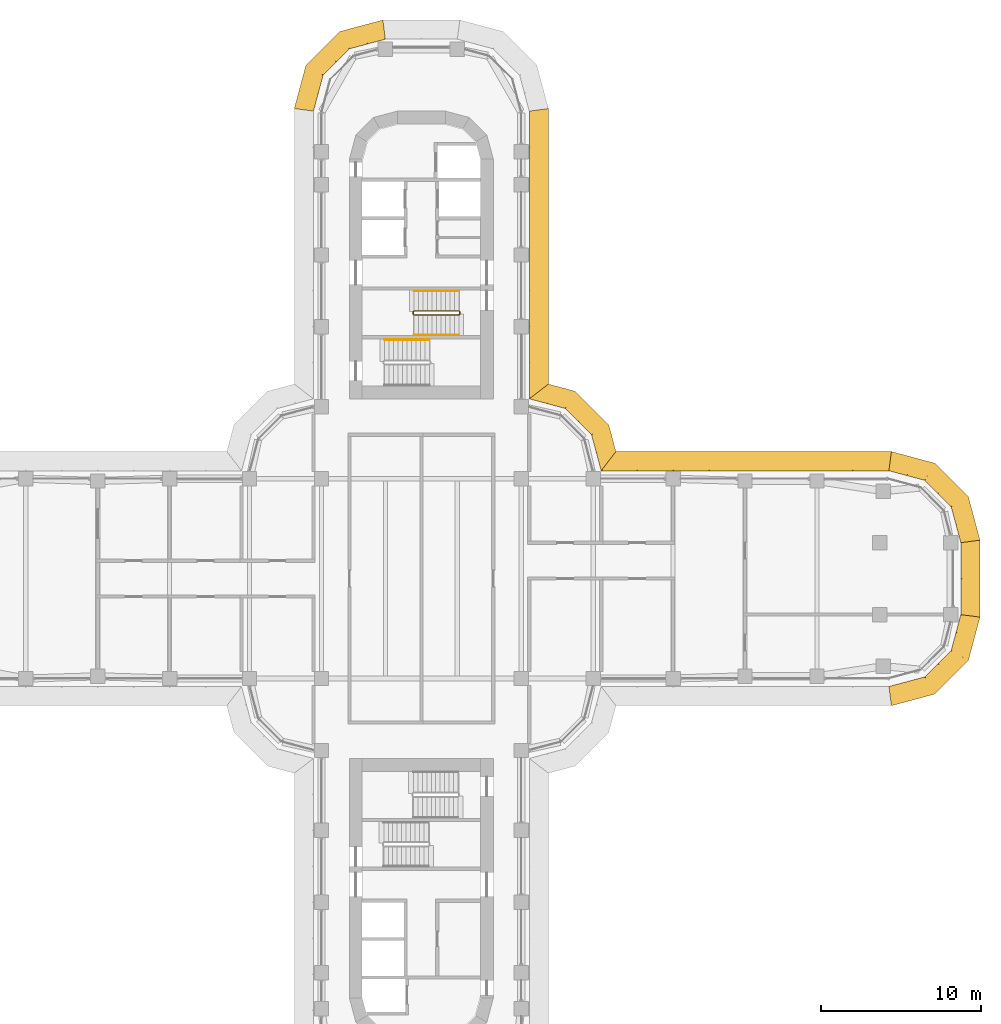
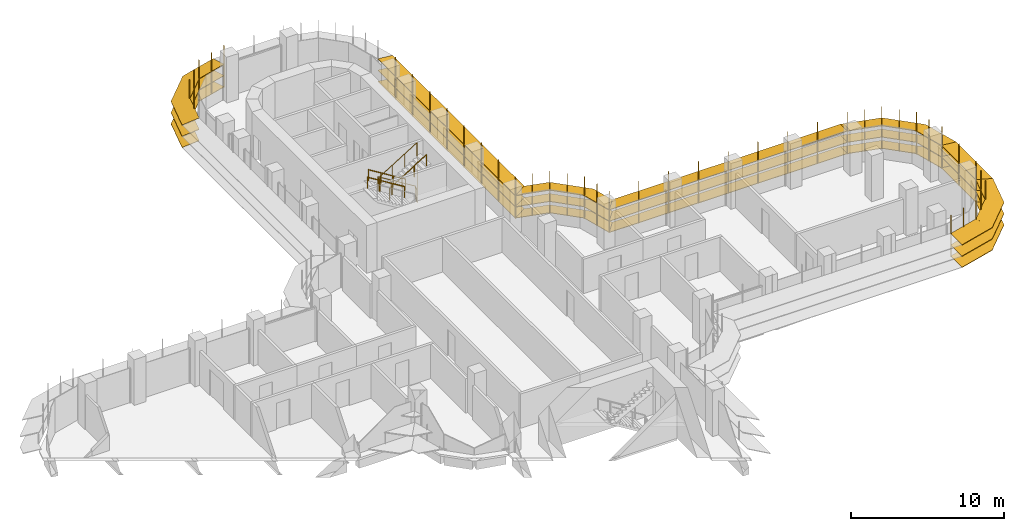
# One storey, part 22 of 23: 7 shading devices, 4 railings.
"""IFC4 building model written with IfcOpenShell, lengths in metres."""

from ifc_helpers import new_model, si_unit, direction, frame, origin, origin_2d, place, context, subcontext, project, spatial, polyline, circle, outline, extrude, faceted_brep, source, transform, mapped, material, type_object, element, save


model = new_model("IFC4")

# Units and contexts
model_context = context("Model", 3, precision=1e-05, world=origin(), true_north=direction((0.0, 1.0)))
body_context = subcontext(model_context, "Body", "Model", "MODEL_VIEW")
ifc_project = project(units=[si_unit("LENGTHUNIT", "METRE"), si_unit("AREAUNIT", "SQUARE_METRE"), si_unit("VOLUMEUNIT", "CUBIC_METRE"), si_unit("PLANEANGLEUNIT", "RADIAN"), si_unit("MASSUNIT", "GRAM", prefix="KILO")], contexts=[model_context])

# Site, building, storey
site_placement = place(None, origin())
site = spatial("IfcSite", under=ifc_project, at=site_placement, CompositionType="ELEMENT")
building_placement = place(site_placement, origin())
building = spatial("IfcBuilding", under=site, at=building_placement, Name="Zarbagh Exchange Tower", CompositionType="ELEMENT")
storey_placement = place(building_placement, frame((0.0, 0.0, 90.39990234375)))
storey = spatial("IfcBuildingStorey", under=building, at=storey_placement, Name="L20", CompositionType="ELEMENT", Elevation=90.39990234375)

# Railings
ifc_material_1 = material(Name="Stainless steel", Category="steel")
railing_type_1 = type_object("IfcRailingType", Name="Stair guard 1100 mm", PredefinedType="GUARDRAIL", material=ifc_material_1)
railing_1_placement = place(storey_placement, frame((-0.449951171875, 16.5, 2.07275390625)))
element("IfcRailing", 1, at=railing_1_placement, inside=storey, type_object=railing_type_1, Name="ST1 stair guard 1", PredefinedType="GUARDRAIL", context=body_context, shape_type="SweptSolid", body=[
    extrude(circle(Radius=0.02392578125, at=origin_2d()), frame((0.0, 0.0, 1.076171875), z_axis=(0.851089632645, 0.0, 0.525020415988), x_axis=(0.0, 1.0, 0.0)), (0.0, 0.0, 1.0), 3.2900390625),
    extrude(circle(Radius=0.02392578125, at=origin_2d()), frame((2.800048828125, 0.0, 2.80322265625), z_axis=(0.013104066473, 0.013168302093, -0.99982742474), x_axis=(-0.708833529934, 0.705375805398, 0.0)), (0.0, 0.0, 1.0), 3.80078125),
    extrude(circle(Radius=0.02392578125, at=origin_2d()), frame((2.849853515625, 0.050048828125, -0.99658203125), z_axis=(0.0, 1.0, 0.0), x_axis=(-1.0, 0.0, 0.0)), (0.0, 0.0, 1.0), 0.14990234375),
    extrude(circle(Radius=0.02392578125, at=origin_2d()), frame((2.849853515625, 0.199951171875, -0.99658203125), z_axis=(-0.266739603011, 0.268047150085, 0.925743328097), x_axis=(-0.708833529934, -0.705375805398, 0.0)), (0.0, 0.0, 1.0), 0.186767578125),
    extrude(circle(Radius=0.02392578125, at=origin_2d()), frame((2.800048828125, 0.25, -0.82373046875), z_axis=(-0.851089632645, 0.0, 0.525020415988), x_axis=(0.0, -1.0, 0.0)), (0.0, 0.0, 1.0), 3.2900390625),
    extrude(circle(Radius=0.02392578125, at=origin_2d()), frame((0.0, 0.25, 0.9033203125), z_axis=(-0.707106781187, -0.707106781187, 0.0), x_axis=(0.707106781187, -0.707106781187, 0.0)), (0.0, 0.0, 1.0), 0.07080078125),
    extrude(circle(Radius=0.02392578125, at=origin_2d()), frame((-0.050048828125, 0.199951171875, 0.9033203125), z_axis=(0.0, -1.0, 0.0), x_axis=(1.0, 0.0, 0.0)), (0.0, 0.0, 1.0), 0.14990234375),
    extrude(circle(Radius=0.02099609375, at=origin_2d()), origin(), (0.0, 0.0, 1.0), 1.052001953125),
    extrude(circle(Radius=0.02099609375, at=origin_2d()), frame((0.933349609375, 0.0, 0.57568359375)), (0.0, 0.0, 1.0), 1.052001953125),
    extrude(circle(Radius=0.02099609375, at=origin_2d()), frame((1.86669921875, 0.0, 1.151611328125)), (0.0, 0.0, 1.0), 1.052001953125),
    extrude(circle(Radius=0.02099609375, at=origin_2d()), frame((2.800048828125, 0.0, 1.727294921875)), (0.0, 0.0, 1.0), 1.052001953125),
    extrude(circle(Radius=0.02099609375, at=origin_2d()), frame((2.8125, 0.012451171875, 0.77734375)), (0.0, 0.0, 1.0), 1.052001953125),
    extrude(circle(Radius=0.02099609375, at=origin_2d()), frame((2.824951171875, 0.02490234375, -0.1728515625)), (0.0, 0.0, 1.0), 1.052001953125),
    extrude(circle(Radius=0.02099609375, at=origin_2d()), frame((2.83740234375, 0.03759765625, -1.122802734375)), (0.0, 0.0, 1.0), 1.052001953125),
    extrude(circle(Radius=0.02099609375, at=origin_2d()), frame((2.849853515625, 0.050048828125, -2.07275390625)), (0.0, 0.0, 1.0), 1.052001953125),
    extrude(circle(Radius=0.02099609375, at=origin_2d()), frame((2.849853515625, 0.199951171875, -2.07275390625)), (0.0, 0.0, 1.0), 1.052001953125),
    extrude(circle(Radius=0.02099609375, at=origin_2d()), frame((2.800048828125, 0.25, -1.89990234375)), (0.0, 0.0, 1.0), 1.052001953125),
    extrude(circle(Radius=0.02099609375, at=origin_2d()), frame((1.86669921875, 0.25, -1.32421875)), (0.0, 0.0, 1.0), 1.052001953125),
    extrude(circle(Radius=0.02099609375, at=origin_2d()), frame((0.933349609375, 0.25, -0.748291015625)), (0.0, 0.0, 1.0), 1.052001953125),
    extrude(circle(Radius=0.02099609375, at=origin_2d()), frame((0.0, 0.25, -0.172607421875)), (0.0, 0.0, 1.0), 1.052001953125),
    extrude(circle(Radius=0.02099609375, at=origin_2d()), frame((-0.050048828125, 0.199951171875, -0.172607421875)), (0.0, 0.0, 1.0), 1.052001953125),
    extrude(circle(Radius=0.02099609375, at=origin_2d()), frame((-0.050048828125, 0.050048828125, -0.172607421875)), (0.0, 0.0, 1.0), 1.052001953125),
])
railing_type_2 = type_object("IfcRailingType", Name="Stair handrail 900 mm", PredefinedType="HANDRAIL", material=ifc_material_1)
railing_2_placement = place(storey_placement, frame((2.35009765625, 18.0, 0.1728515625)))
element("IfcRailing", 2, at=railing_2_placement, inside=storey, type_object=railing_type_2, Name="ST1 stair handrail 1", PredefinedType="HANDRAIL", context=body_context, shape_type="SweptSolid", body=[
    extrude(circle(Radius=0.02392578125, at=origin_2d()), frame((0.0, 0.0, 0.8759765625), z_axis=(-0.851089632645, 0.0, 0.525020415988), x_axis=(0.0, -1.0, 0.0)), (0.0, 0.0, 1.0), 3.2900390625),
    extrude(circle(Radius=0.02099609375, at=origin_2d()), origin(), (0.0, 0.0, 1.0), 0.851806640625),
    extrude(circle(Radius=0.02099609375, at=origin_2d()), frame((-0.933349609375, 0.0, 0.57568359375)), (0.0, 0.0, 1.0), 0.851806640625),
    extrude(circle(Radius=0.02099609375, at=origin_2d()), frame((-1.86669921875, 0.0, 1.151611328125)), (0.0, 0.0, 1.0), 0.851806640625),
    extrude(circle(Radius=0.02099609375, at=origin_2d()), frame((-2.800048828125, 0.0, 1.727294921875)), (0.0, 0.0, 1.0), 0.851806640625),
])
railing_3_placement = place(storey_placement, frame((-0.449951171875, 15.25, 2.07275390625)))
element("IfcRailing", 3, at=railing_3_placement, inside=storey, type_object=railing_type_2, Name="ST1 stair handrail 2", PredefinedType="HANDRAIL", context=body_context, shape_type="SweptSolid", body=[
    extrude(circle(Radius=0.02392578125, at=origin_2d()), frame((0.0, 0.0, 0.8759765625), z_axis=(0.851089632645, 0.0, 0.525020415988), x_axis=(0.0, 1.0, 0.0)), (0.0, 0.0, 1.0), 3.2900390625),
    extrude(circle(Radius=0.02099609375, at=origin_2d()), origin(), (0.0, 0.0, 1.0), 0.851806640625),
    extrude(circle(Radius=0.02099609375, at=origin_2d()), frame((0.933349609375, 0.0, 0.57568359375)), (0.0, 0.0, 1.0), 0.851806640625),
    extrude(circle(Radius=0.02099609375, at=origin_2d()), frame((1.86669921875, 0.0, 1.151611328125)), (0.0, 0.0, 1.0), 0.851806640625),
    extrude(circle(Radius=0.02099609375, at=origin_2d()), frame((2.800048828125, 0.0, 1.727294921875)), (0.0, 0.0, 1.0), 0.851806640625),
])
railing_4_placement = place(storey_placement, frame((0.5, 14.949951171875, 2.07275390625)))
element("IfcRailing", 4, at=railing_4_placement, inside=storey, type_object=railing_type_2, Name="ST2 stair handrail 2", PredefinedType="HANDRAIL", context=body_context, shape_type="SweptSolid", body=[
    extrude(circle(Radius=0.02392578125, at=origin_2d()), frame((0.0, 0.0, 0.8759765625), z_axis=(-0.851089632645, 0.0, 0.525020415988), x_axis=(0.0, -1.0, 0.0)), (0.0, 0.0, 1.0), 3.2900390625),
    extrude(circle(Radius=0.02099609375, at=origin_2d()), origin(), (0.0, 0.0, 1.0), 0.851806640625),
    extrude(circle(Radius=0.02099609375, at=origin_2d()), frame((-0.933349609375, 0.0, 0.57568359375)), (0.0, 0.0, 1.0), 0.851806640625),
    extrude(circle(Radius=0.02099609375, at=origin_2d()), frame((-1.86669921875, 0.0, 1.151611328125)), (0.0, 0.0, 1.0), 0.851806640625),
    extrude(circle(Radius=0.02099609375, at=origin_2d()), frame((-2.800048828125, 0.0, 1.727294921875)), (0.0, 0.0, 1.0), 0.851806640625),
])

# Shading devices
ifc_material_2 = material(Name="Anodised aluminium blades and brackets", Category="aluminium")
shading_device_type = type_object("IfcShadingDeviceType", Name="SUNSHADE louvre band, 11.25 degree blades", PredefinedType="JALOUSIE", material=ifc_material_2)
shared_shape_1 = source(origin(), body_context, "Body", "Brep", [
    faceted_brep([(0.0, 0.0, 0.0), (0.0, 0.0, -0.040771484375), (-0.157958984375, -1.199951171875, -0.279541015625), (-0.157958984375, -1.199951171875, -0.23876953125), (2.65087890625, -1.199951171875, -0.23876953125), (2.65087890625, -1.199951171875, -0.279541015625), (2.329345703125, 0.0, -0.040771484375), (2.329345703125, 0.0, 0.0)], [[[0, 1, 2, 3]], [[4, 5, 6, 7]], [[0, 7, 6, 1]], [[1, 6, 5, 2]], [[2, 5, 4, 3]], [[3, 4, 7, 0]]]),
])
shared_shape_2 = source(origin(), body_context, "Body", "Brep", [
    faceted_brep([(0.0, 0.0, 0.0), (0.0, 0.0, -0.040771484375), (-0.321533203125, -1.199951171875, -0.279541015625), (-0.321533203125, -1.199951171875, -0.23876953125), (2.65087890625, -1.199951171875, -0.23876953125), (2.65087890625, -1.199951171875, -0.279541015625), (2.329345703125, 0.0, -0.040771484375), (2.329345703125, 0.0, 0.0)], [[[0, 1, 2, 3]], [[4, 5, 6, 7]], [[0, 7, 6, 1]], [[1, 6, 5, 2]], [[2, 5, 4, 3]], [[3, 4, 7, 0]]]),
])
shared_shape_3 = source(origin(), body_context, "Body", "Brep", [
    faceted_brep([(0.0, 0.0, 0.0), (0.0, 0.0, -0.040771484375), (-0.321533203125, -1.199951171875, -0.279541015625), (-0.321533203125, -1.199951171875, -0.23876953125), (2.4873046875, -1.199951171875, -0.23876953125), (2.4873046875, -1.199951171875, -0.279541015625), (2.329345703125, 0.0, -0.040771484375), (2.329345703125, 0.0, 0.0)], [[[0, 1, 2, 3]], [[4, 5, 6, 7]], [[0, 7, 6, 1]], [[1, 6, 5, 2]], [[2, 5, 4, 3]], [[3, 4, 7, 0]]]),
])
shared_shape_4 = source(origin(), body_context, "Body", "SweptSolid", [
    extrude(outline(polyline([(0.0, -0.012451171875), (0.06005859375, -0.012451171875), (0.06005859375, 0.012451171875), (0.0, 0.012451171875), (0.0, -0.012451171875)])), origin(), (0.0, 0.0, 1.0), 3.350830078125),
])
placement = place(storey_placement, origin())
element("IfcShadingDevice", 5, at=placement, inside=storey, type_object=shading_device_type, Name="SS05 sunshade band", PredefinedType="JALOUSIE", context=body_context, shape_type="MappedRepresentation", body=[
    mapped(shared_shape_1, transform((29.25, -6.75, 2.300048828125), x_axis=(0.965924289636, 0.258824779902, 0.0), y_axis=(-0.258824779902, 0.965924289636, 0.0), z_axis=(0.0, 0.0, 1.0))),
    mapped(shared_shape_1, transform((29.25, -6.75, 1.400146484375), x_axis=(0.965924289636, 0.258824779902, 0.0), y_axis=(-0.258824779902, 0.965924289636, 0.0), z_axis=(0.0, 0.0, 1.0))),
    mapped(shared_shape_1, transform((29.25, -6.75, 0.5), x_axis=(0.965924289636, 0.258824779902, 0.0), y_axis=(-0.258824779902, 0.965924289636, 0.0), z_axis=(0.0, 0.0, 1.0))),
    mapped(shared_shape_2, transform((31.5, -6.147216796875, 2.300048828125), x_axis=(0.707106781187, 0.707106781187, 0.0), y_axis=(-0.707106781187, 0.707106781187, 0.0), z_axis=(0.0, 0.0, 1.0))),
    mapped(shared_shape_2, transform((31.5, -6.147216796875, 1.400146484375), x_axis=(0.707106781187, 0.707106781187, 0.0), y_axis=(-0.707106781187, 0.707106781187, 0.0), z_axis=(0.0, 0.0, 1.0))),
    mapped(shared_shape_2, transform((31.5, -6.147216796875, 0.5), x_axis=(0.707106781187, 0.707106781187, 0.0), y_axis=(-0.707106781187, 0.707106781187, 0.0), z_axis=(0.0, 0.0, 1.0))),
    mapped(shared_shape_3, transform((33.147216796875, -4.5, 2.300048828125), x_axis=(0.258824779902, 0.965924289636, 0.0), y_axis=(-0.965924289636, 0.258824779902, 0.0), z_axis=(0.0, 0.0, 1.0))),
    mapped(shared_shape_3, transform((33.147216796875, -4.5, 1.400146484375), x_axis=(0.258824779902, 0.965924289636, 0.0), y_axis=(-0.965924289636, 0.258824779902, 0.0), z_axis=(0.0, 0.0, 1.0))),
    mapped(shared_shape_3, transform((33.147216796875, -4.5, 0.5), x_axis=(0.258824779902, 0.965924289636, 0.0), y_axis=(-0.965924289636, 0.258824779902, 0.0), z_axis=(0.0, 0.0, 1.0))),
    mapped(shared_shape_4, transform((29.25, -6.75, 0.42919921875), x_axis=(0.130529263012, -0.991444457092, 0.0), y_axis=(0.991444457092, 0.130529263012, 0.0), z_axis=(0.0, 0.0, 1.0))),
    mapped(shared_shape_4, transform((30.375, -6.448486328125, 0.42919921875), x_axis=(0.258825058029, -0.96592421511, 0.0), y_axis=(0.96592421511, 0.258825058029, 0.0), z_axis=(0.0, 0.0, 1.0))),
    mapped(shared_shape_4, transform((31.5, -6.147216796875, 0.42919921875), x_axis=(0.50000275701, -0.866023812018, 0.0), y_axis=(0.866023812018, 0.50000275701, 0.0), z_axis=(0.0, 0.0, 1.0))),
    mapped(shared_shape_4, transform((32.323486328125, -5.323486328125, 0.42919921875), x_axis=(0.707106781187, -0.707106781187, 0.0), y_axis=(0.707106781187, 0.707106781187, 0.0), z_axis=(0.0, 0.0, 1.0))),
    mapped(shared_shape_4, transform((33.147216796875, -4.5, 0.42919921875), x_axis=(0.866023812018, -0.50000275701, 0.0), y_axis=(0.50000275701, 0.866023812018, 0.0), z_axis=(0.0, 0.0, 1.0))),
    mapped(shared_shape_4, transform((33.448486328125, -3.375, 0.42919921875), x_axis=(0.96592421511, -0.258825058029, 0.0), y_axis=(0.258825058029, 0.96592421511, 0.0), z_axis=(0.0, 0.0, 1.0))),
])
element("IfcShadingDevice", 6, at=placement, inside=storey, type_object=shading_device_type, Name="SS07 sunshade band", PredefinedType="JALOUSIE", context=body_context, shape_type="MappedRepresentation", body=[
    mapped(shared_shape_1, transform((33.75, 2.25, 2.300048828125), x_axis=(-0.258824779902, 0.965924289636, 0.0), y_axis=(-0.965924289636, -0.258824779902, 0.0), z_axis=(0.0, 0.0, 1.0))),
    mapped(shared_shape_1, transform((33.75, 2.25, 1.400146484375), x_axis=(-0.258824779902, 0.965924289636, 0.0), y_axis=(-0.965924289636, -0.258824779902, 0.0), z_axis=(0.0, 0.0, 1.0))),
    mapped(shared_shape_1, transform((33.75, 2.25, 0.5), x_axis=(-0.258824779902, 0.965924289636, 0.0), y_axis=(-0.965924289636, -0.258824779902, 0.0), z_axis=(0.0, 0.0, 1.0))),
    mapped(shared_shape_2, transform((33.147216796875, 4.5, 2.300048828125), x_axis=(-0.707106781187, 0.707106781187, 0.0), y_axis=(-0.707106781187, -0.707106781187, 0.0), z_axis=(0.0, 0.0, 1.0))),
    mapped(shared_shape_2, transform((33.147216796875, 4.5, 1.400146484375), x_axis=(-0.707106781187, 0.707106781187, 0.0), y_axis=(-0.707106781187, -0.707106781187, 0.0), z_axis=(0.0, 0.0, 1.0))),
    mapped(shared_shape_2, transform((33.147216796875, 4.5, 0.5), x_axis=(-0.707106781187, 0.707106781187, 0.0), y_axis=(-0.707106781187, -0.707106781187, 0.0), z_axis=(0.0, 0.0, 1.0))),
    mapped(shared_shape_3, transform((31.5, 6.147216796875, 2.300048828125), x_axis=(-0.965924289636, 0.258824779902, 0.0), y_axis=(-0.258824779902, -0.965924289636, 0.0), z_axis=(0.0, 0.0, 1.0))),
    mapped(shared_shape_3, transform((31.5, 6.147216796875, 1.400146484375), x_axis=(-0.965924289636, 0.258824779902, 0.0), y_axis=(-0.258824779902, -0.965924289636, 0.0), z_axis=(0.0, 0.0, 1.0))),
    mapped(shared_shape_3, transform((31.5, 6.147216796875, 0.5), x_axis=(-0.965924289636, 0.258824779902, 0.0), y_axis=(-0.258824779902, -0.965924289636, 0.0), z_axis=(0.0, 0.0, 1.0))),
    mapped(shared_shape_4, transform((33.75, 2.25, 0.42919921875), x_axis=(0.991444457092, 0.130529263012, 0.0), y_axis=(-0.130529263012, 0.991444457092, 0.0), z_axis=(0.0, 0.0, 1.0))),
    mapped(shared_shape_4, transform((33.448486328125, 3.375, 0.42919921875), x_axis=(0.96592421511, 0.258825058029, 0.0), y_axis=(-0.258825058029, 0.96592421511, 0.0), z_axis=(0.0, 0.0, 1.0))),
    mapped(shared_shape_4, transform((33.147216796875, 4.5, 0.42919921875), x_axis=(0.866023812018, 0.50000275701, 0.0), y_axis=(-0.50000275701, 0.866023812018, 0.0), z_axis=(0.0, 0.0, 1.0))),
    mapped(shared_shape_4, transform((32.323486328125, 5.323486328125, 0.42919921875), x_axis=(0.707106781187, 0.707106781187, 0.0), y_axis=(-0.707106781187, 0.707106781187, 0.0), z_axis=(0.0, 0.0, 1.0))),
    mapped(shared_shape_4, transform((31.5, 6.147216796875, 0.42919921875), x_axis=(0.50000275701, 0.866023812018, 0.0), y_axis=(-0.866023812018, 0.50000275701, 0.0), z_axis=(0.0, 0.0, 1.0))),
    mapped(shared_shape_4, transform((30.375, 6.448486328125, 0.42919921875), x_axis=(0.258825058029, 0.96592421511, 0.0), y_axis=(-0.96592421511, 0.258825058029, 0.0), z_axis=(0.0, 0.0, 1.0))),
])
element("IfcShadingDevice", 7, at=placement, inside=storey, type_object=shading_device_type, Name="SS13 sunshade band", PredefinedType="JALOUSIE", context=body_context, shape_type="MappedRepresentation", body=[
    mapped(shared_shape_1, transform((-2.25, 33.75, 2.300048828125), x_axis=(-0.965924289636, -0.258824779902, 0.0), y_axis=(0.258824779902, -0.965924289636, 0.0), z_axis=(0.0, 0.0, 1.0))),
    mapped(shared_shape_1, transform((-2.25, 33.75, 1.400146484375), x_axis=(-0.965924289636, -0.258824779902, 0.0), y_axis=(0.258824779902, -0.965924289636, 0.0), z_axis=(0.0, 0.0, 1.0))),
    mapped(shared_shape_1, transform((-2.25, 33.75, 0.5), x_axis=(-0.965924289636, -0.258824779902, 0.0), y_axis=(0.258824779902, -0.965924289636, 0.0), z_axis=(0.0, 0.0, 1.0))),
    mapped(shared_shape_2, transform((-4.5, 33.147216796875, 2.300048828125), x_axis=(-0.707106781187, -0.707106781187, 0.0), y_axis=(0.707106781187, -0.707106781187, 0.0), z_axis=(0.0, 0.0, 1.0))),
    mapped(shared_shape_2, transform((-4.5, 33.147216796875, 1.400146484375), x_axis=(-0.707106781187, -0.707106781187, 0.0), y_axis=(0.707106781187, -0.707106781187, 0.0), z_axis=(0.0, 0.0, 1.0))),
    mapped(shared_shape_2, transform((-4.5, 33.147216796875, 0.5), x_axis=(-0.707106781187, -0.707106781187, 0.0), y_axis=(0.707106781187, -0.707106781187, 0.0), z_axis=(0.0, 0.0, 1.0))),
    mapped(shared_shape_3, transform((-6.147216796875, 31.5, 2.300048828125), x_axis=(-0.258824779902, -0.965924289636, 0.0), y_axis=(0.965924289636, -0.258824779902, 0.0), z_axis=(0.0, 0.0, 1.0))),
    mapped(shared_shape_3, transform((-6.147216796875, 31.5, 1.400146484375), x_axis=(-0.258824779902, -0.965924289636, 0.0), y_axis=(0.965924289636, -0.258824779902, 0.0), z_axis=(0.0, 0.0, 1.0))),
    mapped(shared_shape_3, transform((-6.147216796875, 31.5, 0.5), x_axis=(-0.258824779902, -0.965924289636, 0.0), y_axis=(0.965924289636, -0.258824779902, 0.0), z_axis=(0.0, 0.0, 1.0))),
    mapped(shared_shape_4, transform((-2.25, 33.75, 0.42919921875), x_axis=(-0.130529263012, 0.991444457092, 0.0), y_axis=(-0.991444457092, -0.130529263012, 0.0), z_axis=(0.0, 0.0, 1.0))),
    mapped(shared_shape_4, transform((-3.375, 33.448486328125, 0.42919921875), x_axis=(-0.258825058029, 0.96592421511, 0.0), y_axis=(-0.96592421511, -0.258825058029, 0.0), z_axis=(0.0, 0.0, 1.0))),
    mapped(shared_shape_4, transform((-4.5, 33.147216796875, 0.42919921875), x_axis=(-0.50000275701, 0.866023812018, 0.0), y_axis=(-0.866023812018, -0.50000275701, 0.0), z_axis=(0.0, 0.0, 1.0))),
    mapped(shared_shape_4, transform((-5.323486328125, 32.323486328125, 0.42919921875), x_axis=(-0.707106781187, 0.707106781187, 0.0), y_axis=(-0.707106781187, -0.707106781187, 0.0), z_axis=(0.0, 0.0, 1.0))),
    mapped(shared_shape_4, transform((-6.147216796875, 31.5, 0.42919921875), x_axis=(-0.866023812018, 0.50000275701, 0.0), y_axis=(-0.50000275701, -0.866023812018, 0.0), z_axis=(0.0, 0.0, 1.0))),
    mapped(shared_shape_4, transform((-6.448486328125, 30.375, 0.42919921875), x_axis=(-0.96592421511, 0.258825058029, 0.0), y_axis=(-0.258825058029, -0.96592421511, 0.0), z_axis=(0.0, 0.0, 1.0))),
])
shared_shape_5 = source(origin(), body_context, "Body", "Brep", [
    faceted_brep([(0.0, 0.0, 0.0), (0.0, 0.0, -0.040771484375), (0.9208984375, -1.199951171875, -0.279541015625), (0.9208984375, -1.199951171875, -0.23876953125), (2.65087890625, -1.199951171875, -0.23876953125), (2.65087890625, -1.199951171875, -0.279541015625), (2.329345703125, 0.0, -0.040771484375), (2.329345703125, 0.0, 0.0)], [[[0, 1, 2, 3]], [[4, 5, 6, 7]], [[0, 7, 6, 1]], [[1, 6, 5, 2]], [[2, 5, 4, 3]], [[3, 4, 7, 0]]]),
])
shared_shape_6 = source(origin(), body_context, "Body", "Brep", [
    faceted_brep([(0.0, 0.0, 0.0), (0.0, 0.0, -0.040771484375), (-0.321533203125, -1.199951171875, -0.279541015625), (-0.321533203125, -1.199951171875, -0.23876953125), (1.40869140625, -1.199951171875, -0.23876953125), (1.40869140625, -1.199951171875, -0.279541015625), (2.329345703125, 0.0, -0.040771484375), (2.329345703125, 0.0, 0.0)], [[[0, 1, 2, 3]], [[4, 5, 6, 7]], [[0, 7, 6, 1]], [[1, 6, 5, 2]], [[2, 5, 4, 3]], [[3, 4, 7, 0]]]),
])
element("IfcShadingDevice", 8, at=placement, inside=storey, type_object=shading_device_type, Name="SS09 sunshade band", PredefinedType="JALOUSIE", context=body_context, shape_type="MappedRepresentation", body=[
    mapped(shared_shape_5, transform((11.25, 6.75, 2.300048828125), x_axis=(-0.258824779902, 0.965924289636, 0.0), y_axis=(-0.965924289636, -0.258824779902, 0.0), z_axis=(0.0, 0.0, 1.0))),
    mapped(shared_shape_5, transform((11.25, 6.75, 1.400146484375), x_axis=(-0.258824779902, 0.965924289636, 0.0), y_axis=(-0.965924289636, -0.258824779902, 0.0), z_axis=(0.0, 0.0, 1.0))),
    mapped(shared_shape_5, transform((11.25, 6.75, 0.5), x_axis=(-0.258824779902, 0.965924289636, 0.0), y_axis=(-0.965924289636, -0.258824779902, 0.0), z_axis=(0.0, 0.0, 1.0))),
    mapped(shared_shape_2, transform((10.647216796875, 9.0, 2.300048828125), x_axis=(-0.707106781187, 0.707106781187, 0.0), y_axis=(-0.707106781187, -0.707106781187, 0.0), z_axis=(0.0, 0.0, 1.0))),
    mapped(shared_shape_2, transform((10.647216796875, 9.0, 1.400146484375), x_axis=(-0.707106781187, 0.707106781187, 0.0), y_axis=(-0.707106781187, -0.707106781187, 0.0), z_axis=(0.0, 0.0, 1.0))),
    mapped(shared_shape_2, transform((10.647216796875, 9.0, 0.5), x_axis=(-0.707106781187, 0.707106781187, 0.0), y_axis=(-0.707106781187, -0.707106781187, 0.0), z_axis=(0.0, 0.0, 1.0))),
    mapped(shared_shape_6, transform((9.0, 10.647216796875, 2.300048828125), x_axis=(-0.965924289636, 0.258824779902, 0.0), y_axis=(-0.258824779902, -0.965924289636, 0.0), z_axis=(0.0, 0.0, 1.0))),
    mapped(shared_shape_6, transform((9.0, 10.647216796875, 1.400146484375), x_axis=(-0.965924289636, 0.258824779902, 0.0), y_axis=(-0.258824779902, -0.965924289636, 0.0), z_axis=(0.0, 0.0, 1.0))),
    mapped(shared_shape_6, transform((9.0, 10.647216796875, 0.5), x_axis=(-0.965924289636, 0.258824779902, 0.0), y_axis=(-0.258824779902, -0.965924289636, 0.0), z_axis=(0.0, 0.0, 1.0))),
    mapped(shared_shape_4, transform((11.25, 6.75, 0.42919921875), x_axis=(0.608758892, 0.793355287, 0.0), y_axis=(-0.793355287, 0.608758892, 0.0), z_axis=(0.0, 0.0, 1.0))),
    mapped(shared_shape_4, transform((10.948486328125, 7.875, 0.42919921875), x_axis=(0.96592421511, 0.258825058029, 0.0), y_axis=(-0.258825058029, 0.96592421511, 0.0), z_axis=(0.0, 0.0, 1.0))),
    mapped(shared_shape_4, transform((10.647216796875, 9.0, 0.42919921875), x_axis=(0.866023812018, 0.50000275701, 0.0), y_axis=(-0.50000275701, 0.866023812018, 0.0), z_axis=(0.0, 0.0, 1.0))),
    mapped(shared_shape_4, transform((9.823486328125, 9.823486328125, 0.42919921875), x_axis=(0.707106781187, 0.707106781187, 0.0), y_axis=(-0.707106781187, 0.707106781187, 0.0), z_axis=(0.0, 0.0, 1.0))),
    mapped(shared_shape_4, transform((9.0, 10.647216796875, 0.42919921875), x_axis=(0.50000275701, 0.866023812018, 0.0), y_axis=(-0.866023812018, 0.50000275701, 0.0), z_axis=(0.0, 0.0, 1.0))),
    mapped(shared_shape_4, transform((7.875, 10.948486328125, 0.42919921875), x_axis=(0.258825058029, 0.96592421511, 0.0), y_axis=(-0.96592421511, 0.258825058029, 0.0), z_axis=(0.0, 0.0, 1.0))),
])
shared_shape_7 = source(origin(), body_context, "Body", "Brep", [
    faceted_brep([(0.0, 0.0, 0.0), (0.0, 0.0, -0.040771484375), (-0.157958984375, -1.199951171875, -0.279541015625), (-0.157958984375, -1.199951171875, -0.23876953125), (4.657958984375, -1.199951171875, -0.23876953125), (4.657958984375, -1.199951171875, -0.279541015625), (4.5, 0.0, -0.040771484375), (4.5, 0.0, 0.0)], [[[0, 1, 2, 3]], [[4, 5, 6, 7]], [[0, 7, 6, 1]], [[1, 6, 5, 2]], [[2, 5, 4, 3]], [[3, 4, 7, 0]]]),
])
element("IfcShadingDevice", 9, at=placement, inside=storey, type_object=shading_device_type, Name="SS06 sunshade band", PredefinedType="JALOUSIE", context=body_context, shape_type="MappedRepresentation", body=[
    mapped(shared_shape_7, transform((33.75, -2.25, 2.300048828125), x_axis=(0.0, 1.0, 0.0), y_axis=(-1.0, 0.0, 0.0), z_axis=(0.0, 0.0, 1.0))),
    mapped(shared_shape_7, transform((33.75, -2.25, 1.400146484375), x_axis=(0.0, 1.0, 0.0), y_axis=(-1.0, 0.0, 0.0), z_axis=(0.0, 0.0, 1.0))),
    mapped(shared_shape_7, transform((33.75, -2.25, 0.5), x_axis=(0.0, 1.0, 0.0), y_axis=(-1.0, 0.0, 0.0), z_axis=(0.0, 0.0, 1.0))),
    mapped(shared_shape_4, transform((33.75, -2.25, 0.42919921875), x_axis=(0.991444457092, -0.130529263012, 0.0), y_axis=(0.130529263012, 0.991444457092, 0.0), z_axis=(0.0, 0.0, 1.0))),
    mapped(shared_shape_4, transform((33.75, 0.0, 0.42919921875), x_axis=(1.0, 0.0, 0.0), y_axis=(0.0, 1.0, 0.0), z_axis=(0.0, 0.0, 1.0))),
])
shared_shape_8 = source(origin(), body_context, "Body", "Brep", [
    faceted_brep([(0.0, 0.0, 0.0), (0.0, 0.0, -0.040771484375), (-0.157958984375, -1.199951171875, -0.279541015625), (-0.157958984375, -1.199951171875, -0.23876953125), (17.0791015625, -1.199951171875, -0.23876953125), (17.0791015625, -1.199951171875, -0.279541015625), (18.0, 0.0, -0.040771484375), (18.0, 0.0, 0.0)], [[[0, 1, 2, 3]], [[4, 5, 6, 7]], [[0, 7, 6, 1]], [[1, 6, 5, 2]], [[2, 5, 4, 3]], [[3, 4, 7, 0]]]),
])
element("IfcShadingDevice", 10, at=placement, inside=storey, type_object=shading_device_type, Name="SS08 sunshade band", PredefinedType="JALOUSIE", context=body_context, shape_type="MappedRepresentation", body=[
    mapped(shared_shape_8, transform((29.25, 6.75, 2.300048828125), x_axis=(-1.0, 0.0, 0.0), y_axis=(0.0, -1.0, 0.0), z_axis=(0.0, 0.0, 1.0))),
    mapped(shared_shape_8, transform((29.25, 6.75, 1.400146484375), x_axis=(-1.0, 0.0, 0.0), y_axis=(0.0, -1.0, 0.0), z_axis=(0.0, 0.0, 1.0))),
    mapped(shared_shape_8, transform((29.25, 6.75, 0.5), x_axis=(-1.0, 0.0, 0.0), y_axis=(0.0, -1.0, 0.0), z_axis=(0.0, 0.0, 1.0))),
    mapped(shared_shape_4, transform((29.25, 6.75, 0.42919921875), x_axis=(0.130529263012, 0.991444457092, 0.0), y_axis=(-0.991444457092, 0.130529263012, 0.0), z_axis=(0.0, 0.0, 1.0))),
    mapped(shared_shape_4, transform((27.0, 6.75, 0.42919921875), x_axis=(0.0, 1.0, 0.0), y_axis=(-1.0, 0.0, 0.0), z_axis=(0.0, 0.0, 1.0))),
    mapped(shared_shape_4, transform((24.75, 6.75, 0.42919921875), x_axis=(0.0, 1.0, 0.0), y_axis=(-1.0, 0.0, 0.0), z_axis=(0.0, 0.0, 1.0))),
    mapped(shared_shape_4, transform((22.5, 6.75, 0.42919921875), x_axis=(0.0, 1.0, 0.0), y_axis=(-1.0, 0.0, 0.0), z_axis=(0.0, 0.0, 1.0))),
    mapped(shared_shape_4, transform((20.25, 6.75, 0.42919921875), x_axis=(0.0, 1.0, 0.0), y_axis=(-1.0, 0.0, 0.0), z_axis=(0.0, 0.0, 1.0))),
    mapped(shared_shape_4, transform((18.0, 6.75, 0.42919921875), x_axis=(0.0, 1.0, 0.0), y_axis=(-1.0, 0.0, 0.0), z_axis=(0.0, 0.0, 1.0))),
    mapped(shared_shape_4, transform((15.75, 6.75, 0.42919921875), x_axis=(0.0, 1.0, 0.0), y_axis=(-1.0, 0.0, 0.0), z_axis=(0.0, 0.0, 1.0))),
    mapped(shared_shape_4, transform((13.5, 6.75, 0.42919921875), x_axis=(0.0, 1.0, 0.0), y_axis=(-1.0, 0.0, 0.0), z_axis=(0.0, 0.0, 1.0))),
])
shared_shape_9 = source(origin(), body_context, "Body", "Brep", [
    faceted_brep([(0.0, 0.0, 0.0), (0.0, 0.0, -0.040771484375), (0.9208984375, -1.199951171875, -0.279541015625), (0.9208984375, -1.199951171875, -0.23876953125), (18.157958984375, -1.199951171875, -0.23876953125), (18.157958984375, -1.199951171875, -0.279541015625), (18.0, 0.0, -0.040771484375), (18.0, 0.0, 0.0)], [[[0, 1, 2, 3]], [[4, 5, 6, 7]], [[0, 7, 6, 1]], [[1, 6, 5, 2]], [[2, 5, 4, 3]], [[3, 4, 7, 0]]]),
])
element("IfcShadingDevice", 11, at=placement, inside=storey, type_object=shading_device_type, Name="SS10 sunshade band", PredefinedType="JALOUSIE", context=body_context, shape_type="MappedRepresentation", body=[
    mapped(shared_shape_9, transform((6.75, 11.25, 2.300048828125), x_axis=(0.0, 1.0, 0.0), y_axis=(-1.0, 0.0, 0.0), z_axis=(0.0, 0.0, 1.0))),
    mapped(shared_shape_9, transform((6.75, 11.25, 1.400146484375), x_axis=(0.0, 1.0, 0.0), y_axis=(-1.0, 0.0, 0.0), z_axis=(0.0, 0.0, 1.0))),
    mapped(shared_shape_9, transform((6.75, 11.25, 0.5), x_axis=(0.0, 1.0, 0.0), y_axis=(-1.0, 0.0, 0.0), z_axis=(0.0, 0.0, 1.0))),
    mapped(shared_shape_4, transform((6.75, 11.25, 0.42919921875), x_axis=(0.793355287, 0.608758892, 0.0), y_axis=(-0.608758892, 0.793355287, 0.0), z_axis=(0.0, 0.0, 1.0))),
    mapped(shared_shape_4, transform((6.75, 13.5, 0.42919921875), x_axis=(1.0, 0.0, 0.0), y_axis=(0.0, 1.0, 0.0), z_axis=(0.0, 0.0, 1.0))),
    mapped(shared_shape_4, transform((6.75, 15.75, 0.42919921875), x_axis=(1.0, 0.0, 0.0), y_axis=(0.0, 1.0, 0.0), z_axis=(0.0, 0.0, 1.0))),
    mapped(shared_shape_4, transform((6.75, 18.0, 0.42919921875), x_axis=(1.0, 0.0, 0.0), y_axis=(0.0, 1.0, 0.0), z_axis=(0.0, 0.0, 1.0))),
    mapped(shared_shape_4, transform((6.75, 20.25, 0.42919921875), x_axis=(1.0, 0.0, 0.0), y_axis=(0.0, 1.0, 0.0), z_axis=(0.0, 0.0, 1.0))),
    mapped(shared_shape_4, transform((6.75, 22.5, 0.42919921875), x_axis=(1.0, 0.0, 0.0), y_axis=(0.0, 1.0, 0.0), z_axis=(0.0, 0.0, 1.0))),
    mapped(shared_shape_4, transform((6.75, 24.75, 0.42919921875), x_axis=(1.0, 0.0, 0.0), y_axis=(0.0, 1.0, 0.0), z_axis=(0.0, 0.0, 1.0))),
    mapped(shared_shape_4, transform((6.75, 27.0, 0.42919921875), x_axis=(1.0, 0.0, 0.0), y_axis=(0.0, 1.0, 0.0), z_axis=(0.0, 0.0, 1.0))),
])

save(model, "model.ifc")
